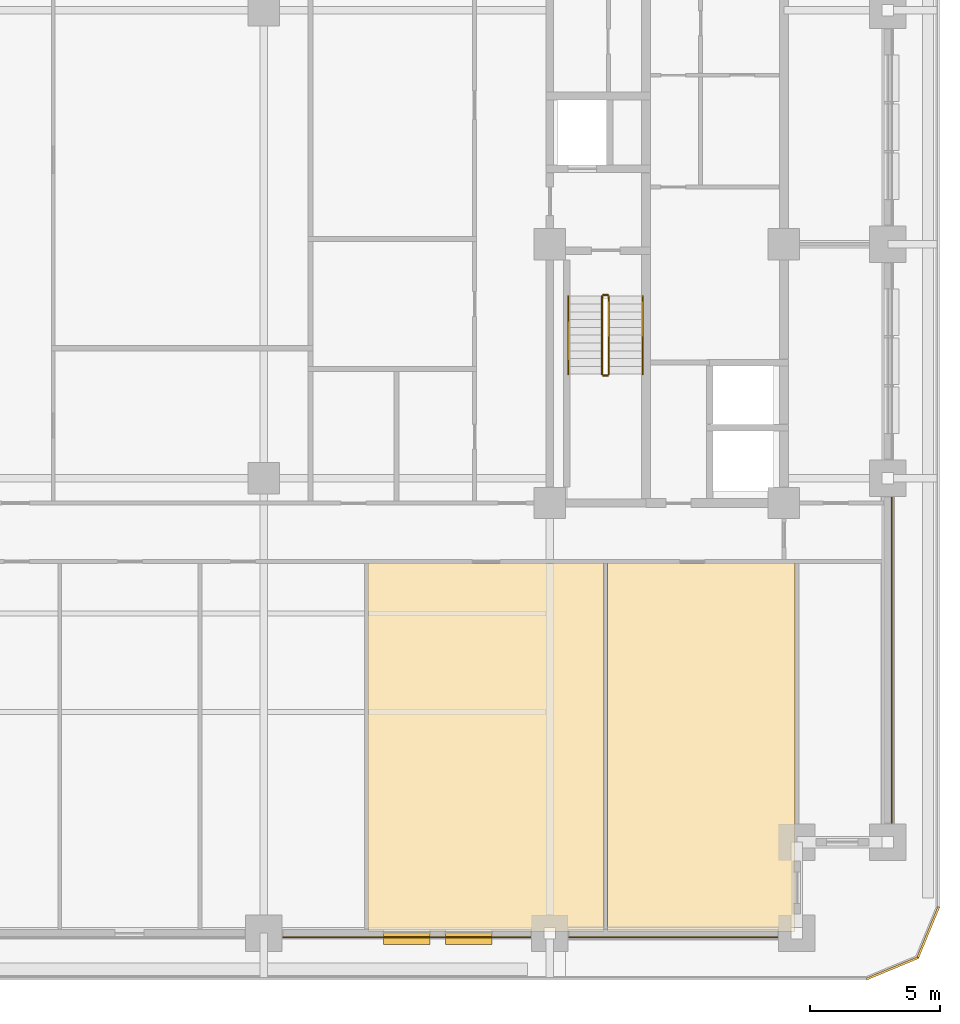
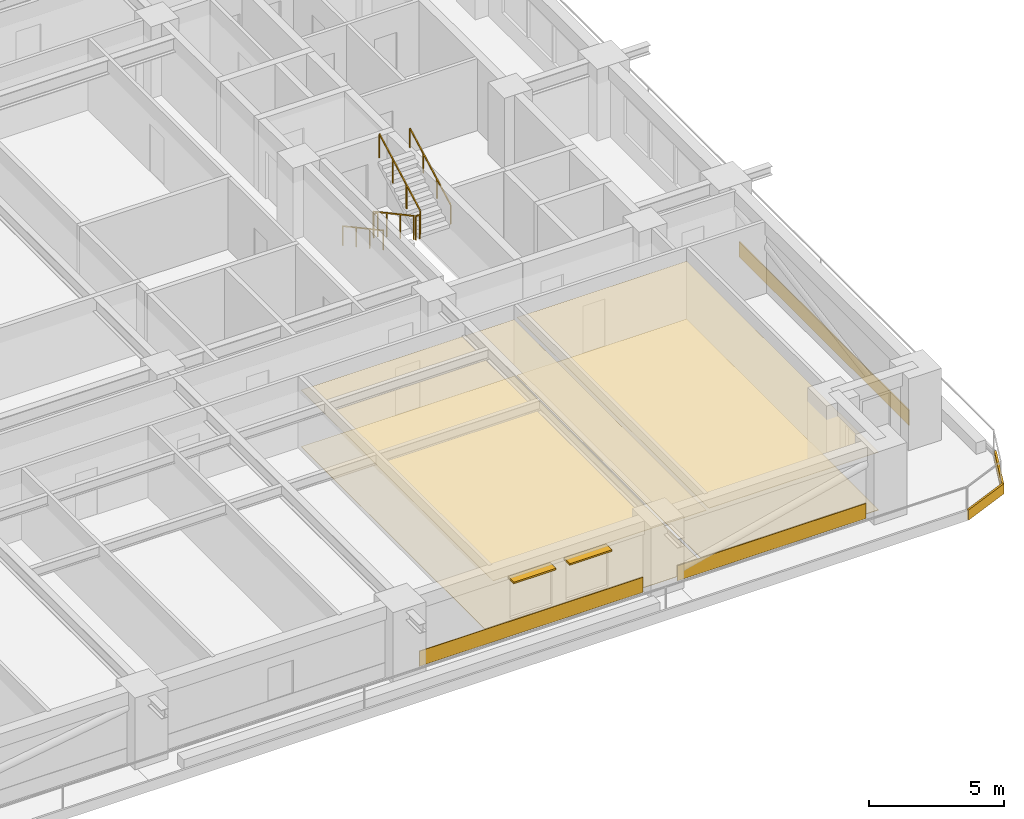
# One storey, part 14 of 16: 9 coverings, 6 railings, 2 shading devices.
"""IFC4 building model written with IfcOpenShell, lengths in metres."""

from ifc_helpers import new_model, si_unit, direction, frame, frame_2d, origin, origin_2d, place, context, subcontext, project, spatial, polyline, rectangle, outline, extrude, material, layer, layer_set, type_object, element, save


model = new_model("IFC4")

# Units and contexts
model_context = context("Model", 3, precision=1e-05, world=origin(), true_north=direction((0.0, 1.0)))
body_context = subcontext(model_context, "Body", "Model", "MODEL_VIEW")
ifc_project = project(units=[si_unit("LENGTHUNIT", "METRE"), si_unit("AREAUNIT", "SQUARE_METRE"), si_unit("VOLUMEUNIT", "CUBIC_METRE"), si_unit("PLANEANGLEUNIT", "RADIAN"), si_unit("MASSUNIT", "GRAM", prefix="KILO")], contexts=[model_context])

# Site, building, storey
site_placement = place(None, origin())
site = spatial("IfcSite", under=ifc_project, at=site_placement, CompositionType="ELEMENT")
building_placement = place(site_placement, origin())
building = spatial("IfcBuilding", under=site, at=building_placement, Name="Zulmaris Gate Convention Tower", CompositionType="ELEMENT")
storey_placement = place(building_placement, frame((0.0, 0.0, 67.89990234375)))
storey = spatial("IfcBuildingStorey", under=building, at=storey_placement, Name="L16", CompositionType="ELEMENT", Elevation=67.89990234375)

# Coverings
ifc_material_1 = material(Name="Precast concrete C40/50", Category="concrete")
ifc_layer_1 = layer(ifc_material_1, 0.0400390625, Name="Precast concrete C40/50")
ifc_layer_set_1 = layer_set([ifc_layer_1], Name="Precast concrete C40/50")
covering_type_1 = type_object("IfcCoveringType", Name="CLAD-SPANDREL-PRECAST", PredefinedType="CLADDING", material=ifc_layer_set_1)
covering_1_placement = place(storey_placement, frame((0.72998046875, -26.64990234375, 0.0), z_axis=(0.0, 0.0, 1.0), x_axis=(1.0, 0.0, 0.0)))
element("IfcCovering", 1, at=covering_1_placement, inside=storey, type_object=covering_type_1, Name="CLD-L16-S-2_0", PredefinedType="CLADDING", context=body_context, shape_type="SweptSolid", body=[
    extrude(rectangle(XDim=9.5400390625, YDim=0.0400390625, at=frame_2d((4.77001953125, 0.0))), origin(), (0.0, 0.0, 1.0), 0.679931640625),
])
covering_2_placement = place(storey_placement, frame((11.72998046875, -26.64990234375, 0.0), z_axis=(0.0, 0.0, 1.0), x_axis=(1.0, 0.0, 0.0)))
element("IfcCovering", 2, at=covering_2_placement, inside=storey, type_object=covering_type_1, Name="CLD-L16-S-3_0", PredefinedType="CLADDING", context=body_context, shape_type="SweptSolid", body=[
    extrude(rectangle(XDim=8.0400390625, YDim=0.0400390625, at=frame_2d((4.02001953125, 0.0))), origin(), (0.0, 0.0, 1.0), 0.679931640625),
])
covering_3_placement = place(storey_placement, frame((24.14990234375, -22.27001953125, 0.0), z_axis=(0.0, 0.0, 1.0), x_axis=(0.0, 1.0, 0.0)))
element("IfcCovering", 3, at=covering_3_placement, inside=storey, type_object=covering_type_1, Name="CLD-L16-E-0_0", PredefinedType="CLADDING", context=body_context, shape_type="SweptSolid", body=[
    extrude(rectangle(XDim=12.5400390625, YDim=0.0400390625, at=frame_2d((6.27001953125, 0.0))), origin(), (0.0, 0.0, 1.0), 0.679931640625),
])
ifc_material_2 = material(Name="White Glazed Architectural Precast Concrete C40/50", Category="concrete")
ifc_layer_2 = layer(ifc_material_2, 0.080078125, Name="White Glazed Architectural Precast Concrete C40/50")
ifc_layer_set_2 = layer_set([ifc_layer_2], Name="White Glazed Architectural Precast Concrete C40/50")
covering_type_2 = type_object("IfcCoveringType", Name="CLAD-TRAY-FASCIA", PredefinedType="CLADDING", material=ifc_layer_set_2)
covering_4_placement = place(storey_placement, frame((23.184814453125, -28.262939453125, -0.2900390625), z_axis=(0.0, 0.0, 1.0), x_axis=(0.923873803533, 0.382697263049, 0.0)))
element("IfcCovering", 4, at=covering_4_placement, inside=storey, type_object=covering_type_2, Name="FSC-L16-TR-03", PredefinedType="CLADDING", context=body_context, shape_type="SweptSolid", body=[
    extrude(rectangle(XDim=2.142822265625, YDim=0.080078125, at=frame_2d((1.0712890625, 0.0))), origin(), (0.0, 0.0, 1.0), 0.4599609375),
])
covering_5_placement = place(storey_placement, frame((25.142822265625, -27.464599609375, -0.2900390625), z_axis=(0.0, 0.0, 1.0), x_axis=(0.382656984709, 0.923890487046, 0.0)))
element("IfcCovering", 5, at=covering_5_placement, inside=storey, type_object=covering_type_2, Name="FSC-L16-TR-04", PredefinedType="CLADDING", context=body_context, shape_type="SweptSolid", body=[
    extrude(rectangle(XDim=2.14306640625, YDim=0.080078125, at=frame_2d((1.071533203125, 0.0))), origin(), (0.0, 0.0, 1.0), 0.4599609375),
])
ifc_material_3 = material(Name="Mineral Fibre Acoustic Ceiling Tile")
ifc_layer_3 = layer(ifc_material_3, 0.02001953125, Name="Mineral Fibre Acoustic Ceiling Tile")
ifc_layer_set_3 = layer_set([ifc_layer_3], Name="Mineral Fibre Acoustic Ceiling Tile")
covering_type_3 = type_object("IfcCoveringType", Name="CLG-ACOUSTIC-600", PredefinedType="CEILING", material=ifc_layer_set_3)
covering_6_placement = place(storey_placement, frame((0.0, 0.0, 2.552978515625)))
element("IfcCovering", 6, at=covering_6_placement, inside=storey, type_object=covering_type_3, Name="CLG-L16-R44", PredefinedType="CEILING", context=body_context, shape_type="SweptSolid", body=[
    extrude(outline(polyline([(4.010009765625, -26.43994140625), (13.090087890625, -26.43994140625), (13.090087890625, -12.260009765625), (4.010009765625, -12.260009765625), (4.010009765625, -26.43994140625)])), origin(), (0.0, 0.0, 1.0), 0.02001953125),
])
covering_7_placement = place(storey_placement, frame((0.0, 0.0, 2.60498046875)))
element("IfcCovering", 7, at=covering_7_placement, inside=storey, type_object=covering_type_3, Name="CLG-L16-R45", PredefinedType="CEILING", context=body_context, shape_type="SweptSolid", body=[
    extrude(outline(polyline([(13.2099609375, -26.43994140625), (20.43994140625, -26.43994140625), (20.43994140625, -12.260009765625), (13.2099609375, -12.260009765625), (13.2099609375, -26.43994140625)])), origin(), (0.0, 0.0, 1.0), 0.02001953125),
])
ifc_material_4 = material(Name="Woven Acoustic Wool Carpet Tile")
ifc_layer_4 = layer(ifc_material_4, 0.02001953125, Name="Woven Acoustic Wool Carpet Tile")
ifc_layer_set_4 = layer_set([ifc_layer_4], Name="Woven Acoustic Wool Carpet Tile")
covering_type_4 = type_object("IfcCoveringType", Name="FLR-CARPET-12", PredefinedType="FLOORING", material=ifc_layer_set_4)
covering_8_placement = place(storey_placement, origin())
element("IfcCovering", 8, at=covering_8_placement, inside=storey, type_object=covering_type_4, Name="FLR-L16-R44", PredefinedType="FLOORING", context=body_context, shape_type="SweptSolid", body=[
    extrude(outline(polyline([(4.010009765625, -26.43994140625), (13.090087890625, -26.43994140625), (13.090087890625, -12.260009765625), (4.010009765625, -12.260009765625), (4.010009765625, -26.43994140625)])), origin(), (0.0, 0.0, 1.0), 0.02001953125),
])
covering_9_placement = place(storey_placement, origin())
element("IfcCovering", 9, at=covering_9_placement, inside=storey, type_object=covering_type_4, Name="FLR-L16-R45", PredefinedType="FLOORING", context=body_context, shape_type="SweptSolid", body=[
    extrude(outline(polyline([(13.2099609375, -26.43994140625), (20.43994140625, -26.43994140625), (20.43994140625, -12.260009765625), (13.2099609375, -12.260009765625), (13.2099609375, -26.43994140625)])), origin(), (0.0, 0.0, 1.0), 0.02001953125),
])

# Railings
ifc_material_5 = material(Name="Painted Galvanised Steel", Category="steel")
railing_type_1 = type_object("IfcRailingType", Name="RL-STG-1150", PredefinedType="GUARDRAIL", material=ifc_material_5)
railing_1_placement = place(storey_placement, frame((13.010009765625, -2.0, 0.162353515625)))
element("IfcRailing", 10, at=railing_1_placement, inside=storey, type_object=railing_type_1, Name="L16 ST-2 stair guard 1", PredefinedType="GUARDRAIL", context=body_context, shape_type="SweptSolid", body=[
    extrude(rectangle(XDim=0.048095703125, YDim=0.048095703125, at=origin_2d()), frame((0.0, 0.0, 1.076171875), z_axis=(0.0, -0.8795616155, 0.475784998228), x_axis=(1.0, 0.0, 0.0)), (0.0, 0.0, 1.0), 3.410888671875),
    extrude(rectangle(XDim=0.0419921875, YDim=0.0419921875, at=origin_2d()), origin(), (0.0, 0.0, 1.0), 1.052001953125),
    extrude(rectangle(XDim=0.0419921875, YDim=0.0419921875, at=origin_2d()), frame((0.0, -1.0, 0.541015625)), (0.0, 0.0, 1.0), 1.052001953125),
    extrude(rectangle(XDim=0.0419921875, YDim=0.0419921875, at=origin_2d()), frame((0.0, -2.0, 1.081787109375)), (0.0, 0.0, 1.0), 1.052001953125),
    extrude(rectangle(XDim=0.0419921875, YDim=0.0419921875, at=origin_2d()), frame((0.0, -3.0, 1.622802734375)), (0.0, 0.0, 1.0), 1.052001953125),
])
railing_2_placement = place(storey_placement, frame((13.06005859375, -5.050048828125, 1.78515625)))
element("IfcRailing", 11, at=railing_2_placement, inside=storey, type_object=railing_type_1, Name="L16 ST-2 stair guard 2", PredefinedType="GUARDRAIL", context=body_context, shape_type="SweptSolid", body=[
    extrude(rectangle(XDim=0.048095703125, YDim=0.048095703125, at=origin_2d()), frame((0.0, 0.0, 1.076171875), z_axis=(1.0, 0.0, 0.0), x_axis=(0.0, 1.0, 0.0)), (0.0, 0.0, 1.0), 0.159912109375),
    extrude(rectangle(XDim=0.0419921875, YDim=0.0419921875, at=origin_2d()), origin(), (0.0, 0.0, 1.0), 1.052001953125),
    extrude(rectangle(XDim=0.0419921875, YDim=0.0419921875, at=origin_2d()), frame((0.159912109375, 0.0, 0.0)), (0.0, 0.0, 1.0), 1.052001953125),
])
railing_3_placement = place(storey_placement, frame((13.27001953125, -5.0, 1.947265625)))
element("IfcRailing", 12, at=railing_3_placement, inside=storey, type_object=railing_type_1, Name="L16 ST-2 stair guard 3", PredefinedType="GUARDRAIL", context=body_context, shape_type="SweptSolid", body=[
    extrude(rectangle(XDim=0.048095703125, YDim=0.048095703125, at=origin_2d()), frame((0.0, 0.0, 1.076171875), z_axis=(0.0, 0.8795616155, 0.475784998228), x_axis=(-1.0, 0.0, 0.0)), (0.0, 0.0, 1.0), 3.410888671875),
    extrude(rectangle(XDim=0.0419921875, YDim=0.0419921875, at=origin_2d()), origin(), (0.0, 0.0, 1.0), 1.052001953125),
    extrude(rectangle(XDim=0.0419921875, YDim=0.0419921875, at=origin_2d()), frame((0.0, 1.0, 0.541015625)), (0.0, 0.0, 1.0), 1.052001953125),
    extrude(rectangle(XDim=0.0419921875, YDim=0.0419921875, at=origin_2d()), frame((0.0, 2.0, 1.081787109375)), (0.0, 0.0, 1.0), 1.052001953125),
    extrude(rectangle(XDim=0.0419921875, YDim=0.0419921875, at=origin_2d()), frame((0.0, 3.0, 1.622802734375)), (0.0, 0.0, 1.0), 1.052001953125),
])
railing_4_placement = place(storey_placement, frame((13.06005859375, -1.949951171875, 0.0)))
element("IfcRailing", 13, at=railing_4_placement, inside=storey, type_object=railing_type_1, Name="L16 ST-2 stair guard 4", PredefinedType="GUARDRAIL", context=body_context, shape_type="SweptSolid", body=[
    extrude(rectangle(XDim=0.048095703125, YDim=0.048095703125, at=origin_2d()), frame((0.0, 0.0, 1.076171875), z_axis=(1.0, 0.0, 0.0), x_axis=(0.0, 1.0, 0.0)), (0.0, 0.0, 1.0), 0.159912109375),
    extrude(rectangle(XDim=0.0419921875, YDim=0.0419921875, at=origin_2d()), origin(), (0.0, 0.0, 1.0), 1.052001953125),
    extrude(rectangle(XDim=0.0419921875, YDim=0.0419921875, at=origin_2d()), frame((0.159912109375, 0.0, 0.0)), (0.0, 0.0, 1.0), 1.052001953125),
])
ifc_material_6 = material(Name="Brushed Stainless Steel", Category="steel")
railing_type_2 = type_object("IfcRailingType", Name="RL-STH-900", PredefinedType="HANDRAIL", material=ifc_material_6)
railing_5_placement = place(storey_placement, frame((11.7099609375, -2.0, 0.162353515625)))
element("IfcRailing", 14, at=railing_5_placement, inside=storey, type_object=railing_type_2, Name="L16 ST-2 stair handrail 1", PredefinedType="HANDRAIL", context=body_context, shape_type="SweptSolid", body=[
    extrude(rectangle(XDim=0.048095703125, YDim=0.048095703125, at=origin_2d()), frame((0.0, 0.0, 0.8759765625), z_axis=(0.0, -0.8795616155, 0.475784998228), x_axis=(1.0, 0.0, 0.0)), (0.0, 0.0, 1.0), 3.410888671875),
    extrude(rectangle(XDim=0.0419921875, YDim=0.0419921875, at=origin_2d()), origin(), (0.0, 0.0, 1.0), 0.851806640625),
    extrude(rectangle(XDim=0.0419921875, YDim=0.0419921875, at=origin_2d()), frame((0.0, -1.0, 0.541015625)), (0.0, 0.0, 1.0), 0.851806640625),
    extrude(rectangle(XDim=0.0419921875, YDim=0.0419921875, at=origin_2d()), frame((0.0, -2.0, 1.081787109375)), (0.0, 0.0, 1.0), 0.851806640625),
    extrude(rectangle(XDim=0.0419921875, YDim=0.0419921875, at=origin_2d()), frame((0.0, -3.0, 1.622802734375)), (0.0, 0.0, 1.0), 0.851806640625),
])
railing_6_placement = place(storey_placement, frame((14.570068359375, -5.0, 1.947265625)))
element("IfcRailing", 15, at=railing_6_placement, inside=storey, type_object=railing_type_2, Name="L16 ST-2 stair handrail 2", PredefinedType="HANDRAIL", context=body_context, shape_type="SweptSolid", body=[
    extrude(rectangle(XDim=0.048095703125, YDim=0.048095703125, at=origin_2d()), frame((0.0, 0.0, 0.8759765625), z_axis=(0.0, 0.8795616155, 0.475784998228), x_axis=(-1.0, 0.0, 0.0)), (0.0, 0.0, 1.0), 3.410888671875),
    extrude(rectangle(XDim=0.0419921875, YDim=0.0419921875, at=origin_2d()), origin(), (0.0, 0.0, 1.0), 0.851806640625),
    extrude(rectangle(XDim=0.0419921875, YDim=0.0419921875, at=origin_2d()), frame((0.0, 1.0, 0.541015625)), (0.0, 0.0, 1.0), 0.851806640625),
    extrude(rectangle(XDim=0.0419921875, YDim=0.0419921875, at=origin_2d()), frame((0.0, 2.0, 1.081787109375)), (0.0, 0.0, 1.0), 0.851806640625),
    extrude(rectangle(XDim=0.0419921875, YDim=0.0419921875, at=origin_2d()), frame((0.0, 3.0, 1.622802734375)), (0.0, 0.0, 1.0), 0.851806640625),
])

# Shading devices
ifc_material_7 = material(Name="Glazed Ceramic Terracotta", Category="masonry")
ifc_layer_5 = layer(ifc_material_7, 0.070068359375, Name="Glazed Ceramic Terracotta")
ifc_layer_set_5 = layer_set([ifc_layer_5], Name="Glazed Ceramic Terracotta")
shading_device_type = type_object("IfcShadingDeviceType", Name="SHD-SUNSHADE-TC", PredefinedType="AWNING", material=ifc_layer_set_5)
for number, where, z_axis, x_axis, name in (
    (16, (4.60009765625, -26.719970703125, 2.530029296875), (0.0, 0.0, 1.0), (1.0, 0.0, 0.0), "SHD-EW-L16-S-2_0-2"),
    (17, (6.985107421875, -26.719970703125, 2.530029296875), (0.0, 0.0, 1.0), (1.0, 0.0, 0.0), "SHD-EW-L16-S-2_0-3"),
):
    element("IfcShadingDevice", number, at=place(storey_placement, frame(where, z_axis=z_axis, x_axis=x_axis)), inside=storey, type_object=shading_device_type, Name=name, PredefinedType="AWNING", context=body_context, shape_type="SweptSolid", body=[
        extrude(rectangle(XDim=1.7998046875, YDim=0.43994140625, at=frame_2d((0.89990234375, 0.0))), origin(), (0.0, 0.0, 1.0), 0.070068359375),
    ])

save(model, "model.ifc")
